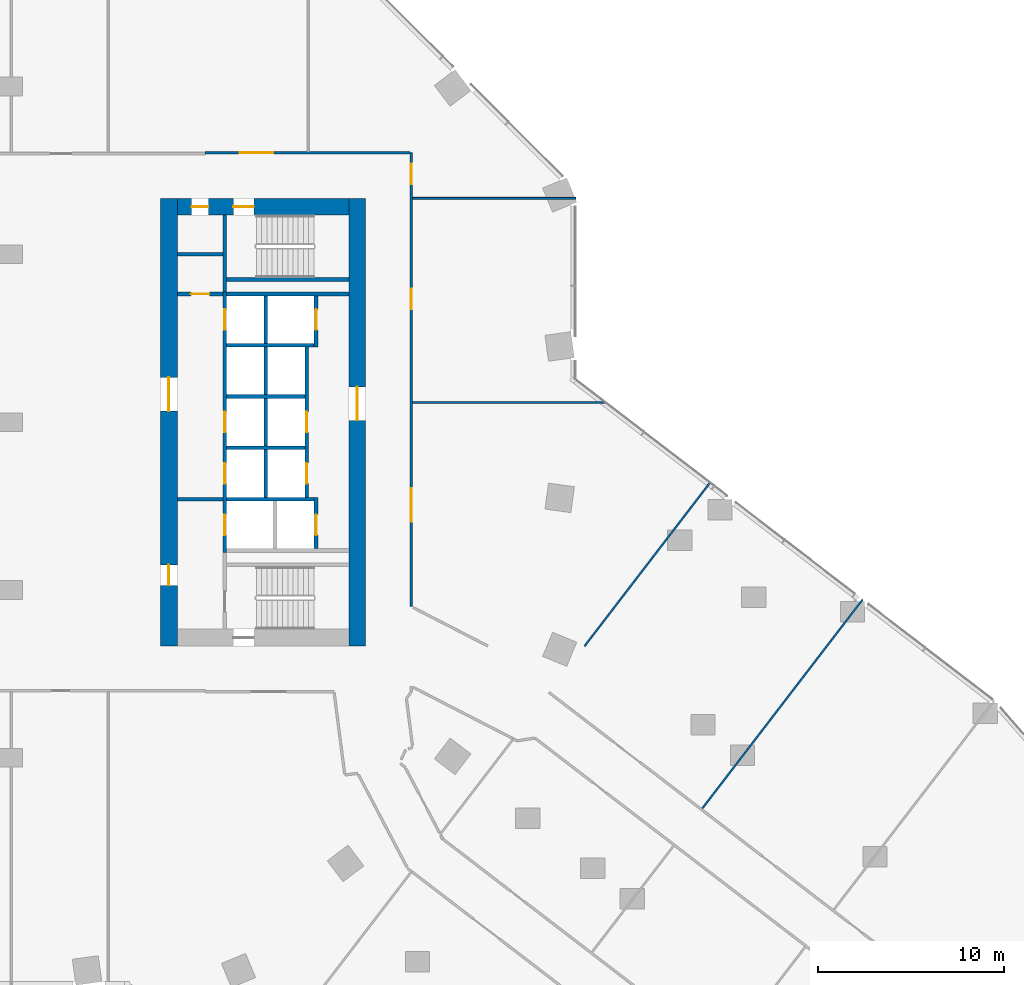
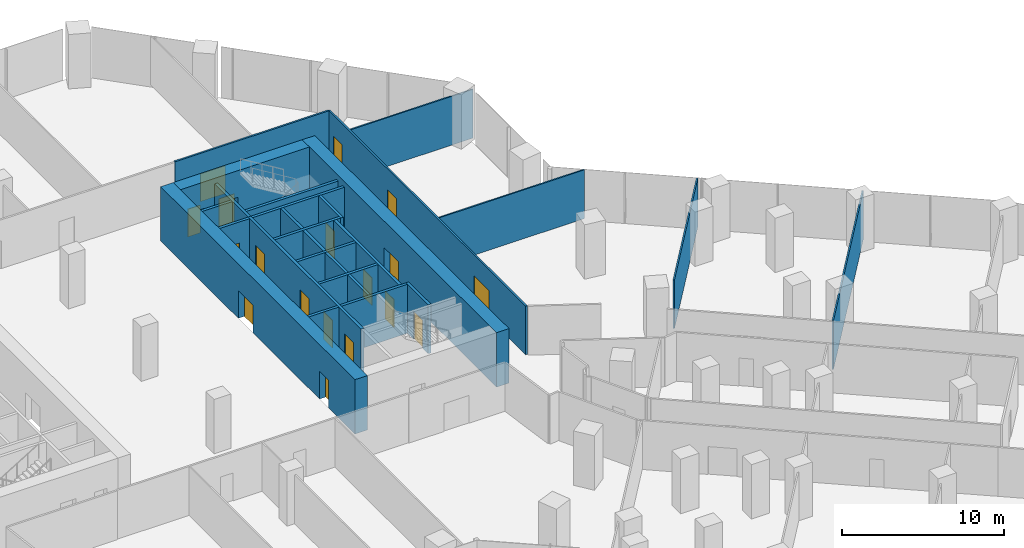
# One storey, part 26 of 29: 27 walls, 18 doors, 18 openings.
"""IFC4 building model written with IfcOpenShell, lengths in metres."""

from ifc_helpers import new_model, si_unit, direction, frame, frame_2d, origin, place, context, subcontext, project, spatial, rectangle, extrude, material, layer, layer_set, type_object, element, fill, save


model = new_model("IFC4")

# Units and contexts
model_context = context("Model", 3, precision=1e-05, world=origin(), true_north=direction((0.0, 1.0)))
body_context = subcontext(model_context, "Body", "Model", "MODEL_VIEW")
ifc_project = project(units=[si_unit("LENGTHUNIT", "METRE"), si_unit("AREAUNIT", "SQUARE_METRE"), si_unit("VOLUMEUNIT", "CUBIC_METRE"), si_unit("PLANEANGLEUNIT", "RADIAN"), si_unit("MASSUNIT", "GRAM", prefix="KILO")], contexts=[model_context])

# Site, building, storey
site_placement = place(None, origin())
site = spatial("IfcSite", under=ifc_project, at=site_placement, CompositionType="ELEMENT")
building_placement = place(site_placement, origin())
building = spatial("IfcBuilding", under=site, at=building_placement, Name="Orlundy Tower", CompositionType="ELEMENT")
storey_placement = place(building_placement, frame((0.0, 0.0, 25.10009765625)))
storey = spatial("IfcBuildingStorey", under=building, at=storey_placement, Name="L04", CompositionType="ELEMENT", Elevation=25.10009765625)

# Wall, openings, doors
ifc_material_1 = material(Name="Concrete C80/95", Category="concrete")
ifc_layer_1 = layer(ifc_material_1, 0.89990234375)
ifc_layer_set_1 = layer_set([ifc_layer_1], Name="CORE WALL 900 C80/95")
wall_type_1 = type_object("IfcWallType", Name="CORE WALL 900 C80/95", PredefinedType="SHEAR", material=ifc_layer_set_1)
wall_1_placement = place(storey_placement, frame((8.89990234375, 11.550048828125, 0.0), z_axis=(0.0, 0.0, 1.0), x_axis=(1.0, 0.0, 0.0)))
wall_1 = element("IfcWall", 1, at=wall_1_placement, inside=storey, type_object=wall_type_1, Name="Core wall E-N L04", PredefinedType="SHEAR", context=body_context, shape_type="SweptSolid", body=[
    extrude(rectangle(XDim=9.2001953125, YDim=0.89990234375, at=frame_2d((4.60009765625, 0.0))), origin(), (0.0, 0.0, 1.0), 4.099853515625),
])
opening_1_placement = place(wall_1_placement, frame((3.0, 0.0, 0.0)))
opening_1 = element("IfcOpeningElement", 2, at=opening_1_placement, cuts=wall_1, Name="Opening 05062", PredefinedType="OPENING", context=body_context, shape_type="SweptSolid", body=[
    extrude(rectangle(XDim=1.10009765625, YDim=2.10009765625, at=frame_2d((0.550048828125, 1.050048828125))), frame((0.0, 0.4599609375, 0.0), z_axis=(0.0, -1.0, 0.0), x_axis=(1.0, 0.0, 0.0)), (0.0, 0.0, 1.0), 0.919921875),
])
opening_2_placement = place(wall_1_placement, frame((0.77001953125, 0.0, 0.0)))
opening_2 = element("IfcOpeningElement", 3, at=opening_2_placement, cuts=wall_1, Name="Opening 05064", PredefinedType="OPENING", context=body_context, shape_type="SweptSolid", body=[
    extrude(rectangle(XDim=0.89990234375, YDim=2.10009765625, at=frame_2d((0.449951171875, 1.050048828125))), frame((0.0, 0.4599609375, 0.0), z_axis=(0.0, -1.0, 0.0), x_axis=(1.0, 0.0, 0.0)), (0.0, 0.0, 1.0), 0.919921875),
])
ifc_material_2 = material(Name="Timber door set", Category="wood")
door_type_1 = type_object("IfcDoorType", Name="Room Door 900x2100", OperationType="SINGLE_SWING_LEFT", PredefinedType="DOOR", material=ifc_material_2)
door_1_placement = place(opening_2_placement, origin())
door_1 = element("IfcDoor", 4, at=door_1_placement, inside=storey, type_object=door_type_1, Name="Store door 05064", OperationType="SINGLE_SWING_LEFT", OverallHeight=2.10009765625, OverallWidth=0.89990234375, PredefinedType="DOOR", context=body_context, shape_type="SweptSolid", body=[
    extrude(rectangle(XDim=0.89990234375, YDim=2.10009765625, at=frame_2d((0.449951171875, 1.050048828125))), frame((0.0, 0.02490234375, 0.0), z_axis=(0.0, -1.0, 0.0), x_axis=(1.0, 0.0, 0.0)), (0.0, 0.0, 1.0), 0.050048828125),
])
fill(opening_2, door_1)
ifc_material_3 = material(Name="Steel door set", Category="steel")
door_type_2 = type_object("IfcDoorType", Name="Stair Door 1100x2100", OperationType="SINGLE_SWING_LEFT", PredefinedType="DOOR", material=ifc_material_3)
door_2_placement = place(opening_1_placement, origin())
door_2 = element("IfcDoor", 5, at=door_2_placement, inside=storey, type_object=door_type_2, Name="Stair door 05062", OperationType="SINGLE_SWING_LEFT", OverallHeight=2.10009765625, OverallWidth=1.10009765625, PredefinedType="DOOR", context=body_context, shape_type="SweptSolid", body=[
    extrude(rectangle(XDim=1.10009765625, YDim=2.10009765625, at=frame_2d((0.550048828125, 1.050048828125))), frame((0.0, 0.02490234375, 0.0), z_axis=(0.0, -1.0, 0.0), x_axis=(1.0, 0.0, 0.0)), (0.0, 0.0, 1.0), 0.050048828125),
])
fill(opening_1, door_2)

wall_2_placement = place(storey_placement, frame((8.449951171875, -12.0, 0.0), z_axis=(0.0, 0.0, 1.0), x_axis=(0.0, 1.0, 0.0)))
wall_2 = element("IfcWall", 6, at=wall_2_placement, inside=storey, type_object=wall_type_1, Name="Core wall E-W L04", PredefinedType="SHEAR", context=body_context, shape_type="SweptSolid", body=[
    extrude(rectangle(XDim=24.0, YDim=0.89990234375, at=frame_2d((12.0, 0.0))), origin(), (0.0, 0.0, 1.0), 4.099853515625),
])
opening_3_placement = place(wall_2_placement, frame((12.60009765625, 0.0, 0.0)))
opening_3 = element("IfcOpeningElement", 7, at=opening_3_placement, cuts=wall_2, Name="Opening 05058", PredefinedType="OPENING", context=body_context, shape_type="SweptSolid", body=[
    extrude(rectangle(XDim=1.800048828125, YDim=2.10009765625, at=frame_2d((0.89990234375, 1.050048828125))), frame((0.0, 0.4599609375, 0.0), z_axis=(0.0, -1.0, 0.0), x_axis=(1.0, 0.0, 0.0)), (0.0, 0.0, 1.0), 0.919921875),
])
opening_4_placement = place(wall_2_placement, frame((3.25, 0.0, 0.0)))
opening_4 = element("IfcOpeningElement", 8, at=opening_4_placement, cuts=wall_2, Name="Opening 05060", PredefinedType="OPENING", context=body_context, shape_type="SweptSolid", body=[
    extrude(rectangle(XDim=1.10009765625, YDim=2.10009765625, at=frame_2d((0.550048828125, 1.050048828125))), frame((0.0, 0.4599609375, 0.0), z_axis=(0.0, -1.0, 0.0), x_axis=(1.0, 0.0, 0.0)), (0.0, 0.0, 1.0), 0.919921875),
])
ifc_material_4 = material(Name="Steel door set", Category="steel")
door_type_3 = type_object("IfcDoorType", Name="Fire-fighting Lobby Door 1100x2100", OperationType="SINGLE_SWING_LEFT", PredefinedType="DOOR", material=ifc_material_4)
door_3_placement = place(opening_4_placement, origin())
door_3 = element("IfcDoor", 9, at=door_3_placement, inside=storey, type_object=door_type_3, Name="Fire-fighting lobby door 05060", OperationType="SINGLE_SWING_LEFT", OverallHeight=2.10009765625, OverallWidth=1.10009765625, PredefinedType="DOOR", context=body_context, shape_type="SweptSolid", body=[
    extrude(rectangle(XDim=1.10009765625, YDim=2.10009765625, at=frame_2d((0.550048828125, 1.050048828125))), frame((0.0, 0.02490234375, 0.0), z_axis=(0.0, -1.0, 0.0), x_axis=(1.0, 0.0, 0.0)), (0.0, 0.0, 1.0), 0.050048828125),
])
fill(opening_4, door_3)
ifc_material_5 = material(Name="Timber door set", Category="wood")
door_type_4 = type_object("IfcDoorType", Name="Lobby Door 1800x2100", OperationType="DOUBLE_DOOR_DOUBLE_SWING", PredefinedType="DOOR", material=ifc_material_5)
door_4_placement = place(opening_3_placement, origin())
door_4 = element("IfcDoor", 10, at=door_4_placement, inside=storey, type_object=door_type_4, Name="Lift lobby door 05058", OperationType="SINGLE_SWING_RIGHT", OverallHeight=2.10009765625, OverallWidth=1.800048828125, PredefinedType="DOOR", context=body_context, shape_type="SweptSolid", body=[
    extrude(rectangle(XDim=1.800048828125, YDim=2.10009765625, at=frame_2d((0.89990234375, 1.050048828125))), frame((0.0, 0.02490234375, 0.0), z_axis=(0.0, -1.0, 0.0), x_axis=(1.0, 0.0, 0.0)), (0.0, 0.0, 1.0), 0.050048828125),
])
fill(opening_3, door_4)

# Wall, opening, door
wall_3_placement = place(storey_placement, frame((18.550048828125, -12.0, 0.0), z_axis=(0.0, 0.0, 1.0), x_axis=(0.0, 1.0, 0.0)))
wall_3 = element("IfcWall", 11, at=wall_3_placement, inside=storey, type_object=wall_type_1, Name="Core wall E-E L04", PredefinedType="SHEAR", context=body_context, shape_type="SweptSolid", body=[
    extrude(rectangle(XDim=24.0, YDim=0.89990234375, at=frame_2d((12.0, 0.0))), origin(), (0.0, 0.0, 1.0), 4.099853515625),
])
opening_5_placement = place(wall_3_placement, frame((12.10009765625, 0.0, 0.0)))
opening_5 = element("IfcOpeningElement", 12, at=opening_5_placement, cuts=wall_3, Name="Opening 05059", PredefinedType="OPENING", context=body_context, shape_type="SweptSolid", body=[
    extrude(rectangle(XDim=1.800048828125, YDim=2.10009765625, at=frame_2d((0.89990234375, 1.050048828125))), frame((0.0, 0.4599609375, 0.0), z_axis=(0.0, -1.0, 0.0), x_axis=(1.0, 0.0, 0.0)), (0.0, 0.0, 1.0), 0.919921875),
])
door_5_placement = place(opening_5_placement, origin())
door_5 = element("IfcDoor", 13, at=door_5_placement, inside=storey, type_object=door_type_4, Name="Lift lobby door 05059", OperationType="SINGLE_SWING_RIGHT", OverallHeight=2.10009765625, OverallWidth=1.800048828125, PredefinedType="DOOR", context=body_context, shape_type="SweptSolid", body=[
    extrude(rectangle(XDim=1.800048828125, YDim=2.10009765625, at=frame_2d((0.89990234375, 1.050048828125))), frame((0.0, 0.02490234375, 0.0), z_axis=(0.0, -1.0, 0.0), x_axis=(1.0, 0.0, 0.0)), (0.0, 0.0, 1.0), 0.050048828125),
])
fill(opening_5, door_5)

# Walls
ifc_material_6 = material(Name="Gypsum board partition")
ifc_layer_2 = layer(ifc_material_6, 0.10009765625)
ifc_layer_set_2 = layer_set([ifc_layer_2], Name="Floor partition 100")
wall_type_2 = type_object("IfcWallType", Name="Floor partition 100", PredefinedType="PARTITIONING", material=ifc_layer_set_2)
wall_4_placement = place(storey_placement, frame((21.511962890625, 1.052978515625, 0.0), z_axis=(0.0, 0.0, 1.0), x_axis=(1.0, 0.0, 0.0)))
element("IfcWall", 14, at=wall_4_placement, inside=storey, type_object=wall_type_2, Name="wall-int-L04-043", PredefinedType="PARTITIONING", context=body_context, shape_type="SweptSolid", body=[
    extrude(rectangle(XDim=10.380126953125, YDim=0.10009765625, at=frame_2d((5.18994140625, 0.0))), origin(), (0.0, 0.0, 1.0), 3.679931640625),
])
wall_5_placement = place(storey_placement, frame((21.511962890625, 12.0, 0.0), z_axis=(0.0, 0.0, 1.0), x_axis=(1.0, 0.0, 0.0)))
element("IfcWall", 15, at=wall_5_placement, inside=storey, type_object=wall_type_2, Name="wall-int-L04-046", PredefinedType="PARTITIONING", context=body_context, shape_type="SweptSolid", body=[
    extrude(rectangle(XDim=8.738037109375, YDim=0.10009765625, at=frame_2d((4.369140625, 0.0))), origin(), (0.0, 0.0, 1.0), 3.679931640625),
])
wall_6_placement = place(storey_placement, frame((37.0419921875, -20.718017578125, 0.0), z_axis=(0.0, 0.0, 1.0), x_axis=(0.608775561638, 0.793342495743, 0.0)))
element("IfcWall", 16, at=wall_6_placement, inside=storey, type_object=wall_type_2, Name="wall-int-L04-078", PredefinedType="PARTITIONING", context=body_context, shape_type="SweptSolid", body=[
    extrude(rectangle(XDim=14.136474609375, YDim=0.10009765625, at=frame_2d((7.068359375, 0.0))), origin(), (0.0, 0.0, 1.0), 3.679931640625),
])
wall_7_placement = place(storey_placement, frame((30.72900390625, -12.014892578125, 0.0), z_axis=(0.0, 0.0, 1.0), x_axis=(0.608833626101, 0.793297936294, 0.0)))
element("IfcWall", 17, at=wall_7_placement, inside=storey, type_object=wall_type_2, Name="wall-int-L04-081", PredefinedType="PARTITIONING", context=body_context, shape_type="SweptSolid", body=[
    extrude(rectangle(XDim=11.0751953125, YDim=0.10009765625, at=frame_2d((5.53759765625, 0.0))), origin(), (0.0, 0.0, 1.0), 3.679931640625),
])

# Wall, opening, door
ifc_material_7 = material(Name="Gypsum board partition, double layer")
ifc_layer_3 = layer(ifc_material_7, 0.125)
ifc_layer_set_3 = layer_set([ifc_layer_3], Name="Floor partition 125")
wall_type_3 = type_object("IfcWallType", Name="Floor partition 125", PredefinedType="PARTITIONING", material=ifc_layer_set_3)
wall_8_placement = place(storey_placement, frame((10.39111328125, 14.450927734375, 0.0), z_axis=(0.0, 0.0, 1.0), x_axis=(1.0, 0.0, 0.0)))
wall_8 = element("IfcWall", 18, at=wall_8_placement, inside=storey, type_object=wall_type_3, Name="wall-int-L04-049", PredefinedType="PARTITIONING", context=body_context, shape_type="SweptSolid", body=[
    extrude(rectangle(XDim=10.995849609375, YDim=0.125, at=frame_2d((5.498046875, 0.0))), origin(), (0.0, 0.0, 1.0), 3.679931640625),
])
opening_6_placement = place(wall_8_placement, frame((1.85009765625, 0.0, 0.0)))
opening_6 = element("IfcOpeningElement", 19, at=opening_6_placement, cuts=wall_8, Name="Opening 05132", PredefinedType="OPENING", context=body_context, shape_type="SweptSolid", body=[
    extrude(rectangle(XDim=1.800048828125, YDim=2.10009765625, at=frame_2d((0.89990234375, 1.050048828125))), frame((0.0, 0.072509765625, 0.0), z_axis=(0.0, -1.0, 0.0), x_axis=(1.0, 0.0, 0.0)), (0.0, 0.0, 1.0), 0.14501953125),
])
ifc_material_8 = material(Name="Timber door leaf", Category="wood")
door_type_5 = type_object("IfcDoorType", Name="Floor door double 1800 FD30S", OperationType="NOTDEFINED", PredefinedType="DOOR", material=ifc_material_8)
door_6_placement = place(opening_6_placement, origin())
door_6 = element("IfcDoor", 20, at=door_6_placement, inside=storey, type_object=door_type_5, Name="Door 05132", OperationType="DOUBLE_DOOR_SINGLE_SWING", OverallHeight=2.10009765625, OverallWidth=1.800048828125, PredefinedType="DOOR", context=body_context, shape_type="SweptSolid", body=[
    extrude(rectangle(XDim=1.800048828125, YDim=2.10009765625, at=frame_2d((0.89990234375, 1.050048828125))), frame((0.0, 0.02490234375, 0.0), z_axis=(0.0, -1.0, 0.0), x_axis=(1.0, 0.0, 0.0)), (0.0, 0.0, 1.0), 0.050048828125),
])
fill(opening_6, door_6)

# Wall, openings, doors
wall_9_placement = place(storey_placement, frame((21.449951171875, 14.450927734375, 0.0), z_axis=(0.0, 0.0, 1.0), x_axis=(0.0, -1.0, 0.0)))
wall_9 = element("IfcWall", 21, at=wall_9_placement, inside=storey, type_object=wall_type_3, Name="wall-int-L04-087", PredefinedType="PARTITIONING", context=body_context, shape_type="SweptSolid", body=[
    extrude(rectangle(XDim=24.343994140625, YDim=0.125, at=frame_2d((12.171875, 0.0))), origin(), (0.0, 0.0, 1.0), 3.679931640625),
])
opening_7_placement = place(wall_9_placement, frame((17.998046875, 0.0, 0.0)))
opening_7 = element("IfcOpeningElement", 22, at=opening_7_placement, cuts=wall_9, Name="Opening 05129", PredefinedType="OPENING", context=body_context, shape_type="SweptSolid", body=[
    extrude(rectangle(XDim=1.800048828125, YDim=2.10009765625, at=frame_2d((0.89990234375, 1.050048828125))), frame((0.0, 0.072509765625, 0.0), z_axis=(0.0, -1.0, 0.0), x_axis=(1.0, 0.0, 0.0)), (0.0, 0.0, 1.0), 0.14501953125),
])
opening_8_placement = place(wall_9_placement, frame((7.301025390625, 0.0, 0.0)))
opening_8 = element("IfcOpeningElement", 23, at=opening_8_placement, cuts=wall_9, Name="Opening 05130", PredefinedType="OPENING", context=body_context, shape_type="SweptSolid", body=[
    extrude(rectangle(XDim=1.10009765625, YDim=2.10009765625, at=frame_2d((0.550048828125, 1.050048828125))), frame((0.0, 0.072509765625, 0.0), z_axis=(0.0, -1.0, 0.0), x_axis=(1.0, 0.0, 0.0)), (0.0, 0.0, 1.0), 0.14501953125),
])
opening_9_placement = place(wall_9_placement, frame((0.60009765625, 0.0, 0.0)))
opening_9 = element("IfcOpeningElement", 24, at=opening_9_placement, cuts=wall_9, Name="Opening 05131", PredefinedType="OPENING", context=body_context, shape_type="SweptSolid", body=[
    extrude(rectangle(XDim=1.10009765625, YDim=2.10009765625, at=frame_2d((0.550048828125, 1.050048828125))), frame((0.0, 0.072509765625, 0.0), z_axis=(0.0, -1.0, 0.0), x_axis=(1.0, 0.0, 0.0)), (0.0, 0.0, 1.0), 0.14501953125),
])
door_7_placement = place(opening_7_placement, origin())
door_7 = element("IfcDoor", 25, at=door_7_placement, inside=storey, type_object=door_type_5, Name="Door 05129", OperationType="DOUBLE_DOOR_SINGLE_SWING", OverallHeight=2.10009765625, OverallWidth=1.800048828125, PredefinedType="DOOR", context=body_context, shape_type="SweptSolid", body=[
    extrude(rectangle(XDim=1.800048828125, YDim=2.10009765625, at=frame_2d((0.89990234375, 1.050048828125))), frame((0.0, 0.02490234375, 0.0), z_axis=(0.0, -1.0, 0.0), x_axis=(1.0, 0.0, 0.0)), (0.0, 0.0, 1.0), 0.050048828125),
])
fill(opening_7, door_7)
ifc_material_9 = material(Name="Timber door leaf", Category="wood")
door_type_6 = type_object("IfcDoorType", Name="Floor door xwide 1100 FD30S", OperationType="NOTDEFINED", PredefinedType="DOOR", material=ifc_material_9)
door_8_placement = place(opening_8_placement, origin())
door_8 = element("IfcDoor", 26, at=door_8_placement, inside=storey, type_object=door_type_6, Name="Door 05130", OperationType="SINGLE_SWING_LEFT", OverallHeight=2.10009765625, OverallWidth=1.10009765625, PredefinedType="DOOR", context=body_context, shape_type="SweptSolid", body=[
    extrude(rectangle(XDim=1.10009765625, YDim=2.10009765625, at=frame_2d((0.550048828125, 1.050048828125))), frame((0.0, 0.02490234375, 0.0), z_axis=(0.0, -1.0, 0.0), x_axis=(1.0, 0.0, 0.0)), (0.0, 0.0, 1.0), 0.050048828125),
])
fill(opening_8, door_8)
door_9_placement = place(opening_9_placement, origin())
door_9 = element("IfcDoor", 27, at=door_9_placement, inside=storey, type_object=door_type_6, Name="Door 05131", OperationType="SINGLE_SWING_LEFT", OverallHeight=2.10009765625, OverallWidth=1.10009765625, PredefinedType="DOOR", context=body_context, shape_type="SweptSolid", body=[
    extrude(rectangle(XDim=1.10009765625, YDim=2.10009765625, at=frame_2d((0.550048828125, 1.050048828125))), frame((0.0, 0.02490234375, 0.0), z_axis=(0.0, -1.0, 0.0), x_axis=(1.0, 0.0, 0.0)), (0.0, 0.0, 1.0), 0.050048828125),
])
fill(opening_9, door_9)

# Walls
ifc_material_10 = material(Name="Concrete C40/50", Category="concrete")
ifc_layer_4 = layer(ifc_material_10, 0.199951171875)
ifc_layer_set_4 = layer_set([ifc_layer_4], Name="Load-bearing Shaft Wall 200")
wall_type_4 = type_object("IfcWallType", Name="Load-bearing Shaft Wall 200", PredefinedType="SOLIDWALL", material=ifc_layer_set_4)
wall_10_placement = place(storey_placement, frame((11.43994140625, 11.10009765625, 0.0), z_axis=(0.0, 0.0, 1.0), x_axis=(0.0, -1.0, 0.0)))
element("IfcWall", 28, at=wall_10_placement, inside=storey, type_object=wall_type_4, Name="Shaft wall E05-stair-end-s", PredefinedType="SOLIDWALL", context=body_context, shape_type="SweptSolid", body=[
    extrude(rectangle(XDim=4.125, YDim=0.199951171875, at=frame_2d((2.0625, 0.0))), origin(), (0.0, 0.0, 1.0), 3.68994140625),
])
wall_11_placement = place(storey_placement, frame((11.5400390625, 7.64990234375, 0.0), z_axis=(0.0, 0.0, 1.0), x_axis=(1.0, 0.0, 0.0)))
element("IfcWall", 29, at=wall_11_placement, inside=storey, type_object=wall_type_4, Name="Shaft wall E05-stair-side-s", PredefinedType="SOLIDWALL", context=body_context, shape_type="SweptSolid", body=[
    extrude(rectangle(XDim=6.56005859375, YDim=0.199951171875, at=frame_2d((3.280029296875, 0.0))), origin(), (0.0, 0.0, 1.0), 3.68994140625),
])
ifc_material_11 = material(Name="Gypsum board partition on steel studs", Category="steel")
ifc_layer_5 = layer(ifc_material_11, 0.199951171875)
ifc_layer_set_5 = layer_set([ifc_layer_5], Name="Partition 200")
wall_type_5 = type_object("IfcWallType", Name="Partition 200", PredefinedType="PARTITIONING", material=ifc_layer_set_5)
wall_12_placement = place(storey_placement, frame((8.89990234375, -4.125, 0.0), z_axis=(0.0, 0.0, 1.0), x_axis=(1.0, 0.0, 0.0)))
element("IfcWall", 30, at=wall_12_placement, inside=storey, type_object=wall_type_5, Name="Partition wall E05-lobby-n", PredefinedType="PARTITIONING", context=body_context, shape_type="SweptSolid", body=[
    extrude(rectangle(XDim=2.440185546875, YDim=0.199951171875, at=frame_2d((1.22021484375, 0.0))), origin(), (0.0, 0.0, 1.0), 3.68994140625),
])

# Wall, opening, door
wall_13_placement = place(storey_placement, frame((8.89990234375, 6.875, 0.0), z_axis=(0.0, 0.0, 1.0), x_axis=(1.0, 0.0, 0.0)))
wall_13 = element("IfcWall", 31, at=wall_13_placement, inside=storey, type_object=wall_type_5, Name="Partition wall E05-end-s", PredefinedType="PARTITIONING", context=body_context, shape_type="SweptSolid", body=[
    extrude(rectangle(XDim=2.440185546875, YDim=0.199951171875, at=frame_2d((1.22021484375, 0.0))), origin(), (0.0, 0.0, 1.0), 3.68994140625),
])
opening_10_placement = place(wall_13_placement, frame((0.719970703125, 0.0, 0.0)))
opening_10 = element("IfcOpeningElement", 32, at=opening_10_placement, cuts=wall_13, Name="Opening 05065", PredefinedType="OPENING", context=body_context, shape_type="SweptSolid", body=[
    extrude(rectangle(XDim=1.0, YDim=2.10009765625, at=frame_2d((0.5, 1.050048828125))), frame((0.0, 0.110107421875, 0.0), z_axis=(0.0, -1.0, 0.0), x_axis=(1.0, 0.0, 0.0)), (0.0, 0.0, 1.0), 0.22021484375),
])
ifc_material_12 = material(Name="Timber door set", Category="wood")
door_type_7 = type_object("IfcDoorType", Name="Accessible Door 1000x2100", OperationType="SINGLE_SWING_LEFT", PredefinedType="DOOR", material=ifc_material_12)
door_10_placement = place(opening_10_placement, origin())
door_10 = element("IfcDoor", 33, at=door_10_placement, inside=storey, type_object=door_type_7, Name="Accessible WC door 05065", OperationType="SINGLE_SWING_RIGHT", OverallHeight=2.10009765625, OverallWidth=1.0, PredefinedType="DOOR", context=body_context, shape_type="SweptSolid", body=[
    extrude(rectangle(XDim=1.0, YDim=2.10009765625, at=frame_2d((0.5, 1.050048828125))), frame((0.0, 0.02490234375, 0.0), z_axis=(0.0, -1.0, 0.0), x_axis=(1.0, 0.0, 0.0)), (0.0, 0.0, 1.0), 0.050048828125),
])
fill(opening_10, door_10)

# Walls
wall_14_placement = place(storey_placement, frame((8.89990234375, 9.0, 0.0), z_axis=(0.0, 0.0, 1.0), x_axis=(1.0, 0.0, 0.0)))
element("IfcWall", 34, at=wall_14_placement, inside=storey, type_object=wall_type_5, Name="Partition wall E05-room-s0", PredefinedType="PARTITIONING", context=body_context, shape_type="SweptSolid", body=[
    extrude(rectangle(XDim=2.440185546875, YDim=0.199951171875, at=frame_2d((1.22021484375, 0.0))), origin(), (0.0, 0.0, 1.0), 3.68994140625),
])
ifc_material_13 = material(Name="Fire-rated blockwork shaft wall", Category="masonry")
ifc_layer_6 = layer(ifc_material_13, 0.199951171875)
ifc_layer_set_6 = layer_set([ifc_layer_6], Name="Shaft Wall 200")
wall_type_6 = type_object("IfcWallType", Name="Shaft Wall 200", PredefinedType="SOLIDWALL", material=ifc_layer_set_6)
wall_15_placement = place(storey_placement, frame((11.5400390625, 6.875, 0.0), z_axis=(0.0, 0.0, 1.0), x_axis=(1.0, 0.0, 0.0)))
element("IfcWall", 35, at=wall_15_placement, inside=storey, type_object=wall_type_6, Name="Shaft wall E05-zone-s", PredefinedType="SOLIDWALL", context=body_context, shape_type="SweptSolid", body=[
    extrude(rectangle(XDim=6.56005859375, YDim=0.199951171875, at=frame_2d((3.280029296875, 0.0))), origin(), (0.0, 0.0, 1.0), 3.68994140625),
])
wall_16_placement = place(storey_placement, frame((11.5400390625, 4.125, 0.0), z_axis=(0.0, 0.0, 1.0), x_axis=(1.0, 0.0, 0.0)))
element("IfcWall", 36, at=wall_16_placement, inside=storey, type_object=wall_type_6, Name="Shaft wall E05-cross-4.125", PredefinedType="SOLIDWALL", context=body_context, shape_type="SweptSolid", body=[
    extrude(rectangle(XDim=4.699951171875, YDim=0.199951171875, at=frame_2d((2.35009765625, 0.0))), origin(), (0.0, 0.0, 1.0), 3.68994140625),
])
for number, where, z_axis, x_axis, name in (
    (37, (11.5400390625, 1.375, 0.0), (0.0, 0.0, 1.0), (1.0, 0.0, 0.0), "Shaft wall E05-cross-1.375"),
    (38, (11.5400390625, -1.375, 0.0), (0.0, 0.0, 1.0), (1.0, 0.0, 0.0), "Shaft wall E05-cross+1.375"),
):
    element("IfcWall", number, at=place(storey_placement, frame(where, z_axis=z_axis, x_axis=x_axis)), inside=storey, type_object=wall_type_6, Name=name, PredefinedType="SOLIDWALL", context=body_context, shape_type="SweptSolid", body=[
        extrude(rectangle(XDim=4.199951171875, YDim=0.199951171875, at=frame_2d((2.10009765625, 0.0))), origin(), (0.0, 0.0, 1.0), 3.68994140625),
    ])
wall_17_placement = place(storey_placement, frame((11.5400390625, -4.125, 0.0), z_axis=(0.0, 0.0, 1.0), x_axis=(1.0, 0.0, 0.0)))
element("IfcWall", 39, at=wall_17_placement, inside=storey, type_object=wall_type_6, Name="Shaft wall E05-cross+4.125", PredefinedType="SOLIDWALL", context=body_context, shape_type="SweptSolid", body=[
    extrude(rectangle(XDim=4.699951171875, YDim=0.199951171875, at=frame_2d((2.35009765625, 0.0))), origin(), (0.0, 0.0, 1.0), 3.68994140625),
])

# Wall, openings, doors
wall_18_placement = place(storey_placement, frame((11.43994140625, 6.97509765625, 0.0), z_axis=(0.0, 0.0, 1.0), x_axis=(0.0, -1.0, 0.0)))
wall_18 = element("IfcWall", 40, at=wall_18_placement, inside=storey, type_object=wall_type_6, Name="Shaft wall E05-front-h", PredefinedType="SOLIDWALL", context=body_context, shape_type="SweptSolid", body=[
    extrude(rectangle(XDim=13.9501953125, YDim=0.199951171875, at=frame_2d((6.97509765625, 0.0))), origin(), (0.0, 0.0, 1.0), 3.68994140625),
])
opening_11_placement = place(wall_18_placement, frame((0.925048828125, 0.0, 0.0)))
opening_11 = element("IfcOpeningElement", 41, at=opening_11_placement, cuts=wall_18, Name="Opening 05050", PredefinedType="OPENING", context=body_context, shape_type="SweptSolid", body=[
    extrude(rectangle(XDim=1.10009765625, YDim=2.10009765625, at=frame_2d((0.550048828125, 1.050048828125))), frame((0.0, 0.110107421875, 0.0), z_axis=(0.0, -1.0, 0.0), x_axis=(1.0, 0.0, 0.0)), (0.0, 0.0, 1.0), 0.22021484375),
])
opening_12_placement = place(wall_18_placement, frame((6.425048828125, 0.0, 0.0)))
opening_12 = element("IfcOpeningElement", 42, at=opening_12_placement, cuts=wall_18, Name="Opening 05052", PredefinedType="OPENING", context=body_context, shape_type="SweptSolid", body=[
    extrude(rectangle(XDim=1.10009765625, YDim=2.10009765625, at=frame_2d((0.550048828125, 1.050048828125))), frame((0.0, 0.110107421875, 0.0), z_axis=(0.0, -1.0, 0.0), x_axis=(1.0, 0.0, 0.0)), (0.0, 0.0, 1.0), 0.22021484375),
])
opening_13_placement = place(wall_18_placement, frame((9.175048828125, 0.0, 0.0)))
opening_13 = element("IfcOpeningElement", 43, at=opening_13_placement, cuts=wall_18, Name="Opening 05054", PredefinedType="OPENING", context=body_context, shape_type="SweptSolid", body=[
    extrude(rectangle(XDim=1.10009765625, YDim=2.10009765625, at=frame_2d((0.550048828125, 1.050048828125))), frame((0.0, 0.110107421875, 0.0), z_axis=(0.0, -1.0, 0.0), x_axis=(1.0, 0.0, 0.0)), (0.0, 0.0, 1.0), 0.22021484375),
])
opening_14_placement = place(wall_18_placement, frame((11.925048828125, 0.0, 0.0)))
opening_14 = element("IfcOpeningElement", 44, at=opening_14_placement, cuts=wall_18, Name="Opening 05056", PredefinedType="OPENING", context=body_context, shape_type="SweptSolid", body=[
    extrude(rectangle(XDim=1.10009765625, YDim=2.10009765625, at=frame_2d((0.550048828125, 1.050048828125))), frame((0.0, 0.110107421875, 0.0), z_axis=(0.0, -1.0, 0.0), x_axis=(1.0, 0.0, 0.0)), (0.0, 0.0, 1.0), 0.22021484375),
])
ifc_material_14 = material(Name="Steel door set", Category="steel")
door_type_8 = type_object("IfcDoorType", Name="Landing Door 1100x2100", OperationType="DOUBLE_DOOR_SLIDING", PredefinedType="DOOR", material=ifc_material_14)
door_11_placement = place(opening_11_placement, origin())
door_11 = element("IfcDoor", 45, at=door_11_placement, inside=storey, type_object=door_type_8, Name="Lift landing door LPD-02 05050", OperationType="DOUBLE_DOOR_SLIDING", OverallHeight=2.10009765625, OverallWidth=1.10009765625, PredefinedType="DOOR", context=body_context, shape_type="SweptSolid", body=[
    extrude(rectangle(XDim=1.10009765625, YDim=2.10009765625, at=frame_2d((0.550048828125, 1.050048828125))), frame((0.0, 0.02490234375, 0.0), z_axis=(0.0, -1.0, 0.0), x_axis=(1.0, 0.0, 0.0)), (0.0, 0.0, 1.0), 0.050048828125),
])
fill(opening_11, door_11)
door_12_placement = place(opening_12_placement, origin())
door_12 = element("IfcDoor", 46, at=door_12_placement, inside=storey, type_object=door_type_8, Name="Lift landing door LP-10 05052", OperationType="DOUBLE_DOOR_SLIDING", OverallHeight=2.10009765625, OverallWidth=1.10009765625, PredefinedType="DOOR", context=body_context, shape_type="SweptSolid", body=[
    extrude(rectangle(XDim=1.10009765625, YDim=2.10009765625, at=frame_2d((0.550048828125, 1.050048828125))), frame((0.0, 0.02490234375, 0.0), z_axis=(0.0, -1.0, 0.0), x_axis=(1.0, 0.0, 0.0)), (0.0, 0.0, 1.0), 0.050048828125),
])
fill(opening_12, door_12)
door_13_placement = place(opening_13_placement, origin())
door_13 = element("IfcDoor", 47, at=door_13_placement, inside=storey, type_object=door_type_8, Name="Lift landing door LP-07 05054", OperationType="DOUBLE_DOOR_SLIDING", OverallHeight=2.10009765625, OverallWidth=1.10009765625, PredefinedType="DOOR", context=body_context, shape_type="SweptSolid", body=[
    extrude(rectangle(XDim=1.10009765625, YDim=2.10009765625, at=frame_2d((0.550048828125, 1.050048828125))), frame((0.0, 0.02490234375, 0.0), z_axis=(0.0, -1.0, 0.0), x_axis=(1.0, 0.0, 0.0)), (0.0, 0.0, 1.0), 0.050048828125),
])
fill(opening_13, door_13)
door_14_placement = place(opening_14_placement, origin())
door_14 = element("IfcDoor", 48, at=door_14_placement, inside=storey, type_object=door_type_8, Name="Lift landing door FL2 05056", OperationType="DOUBLE_DOOR_SLIDING", OverallHeight=2.10009765625, OverallWidth=1.10009765625, PredefinedType="DOOR", context=body_context, shape_type="SweptSolid", body=[
    extrude(rectangle(XDim=1.10009765625, YDim=2.10009765625, at=frame_2d((0.550048828125, 1.050048828125))), frame((0.0, 0.02490234375, 0.0), z_axis=(0.0, -1.0, 0.0), x_axis=(1.0, 0.0, 0.0)), (0.0, 0.0, 1.0), 0.050048828125),
])
fill(opening_14, door_14)

# Walls
for number, where, z_axis, x_axis, name in (
    (49, (13.639892578125, 6.77490234375, 0.0), (0.0, 0.0, 1.0), (0.0, -1.0, 0.0), "Shaft wall E05-mid-a"),
    (50, (13.639892578125, 4.02490234375, 0.0), (0.0, 0.0, 1.0), (0.0, -1.0, 0.0), "Shaft wall E05-mid-a.1"),
    (51, (13.639892578125, 1.27490234375, 0.0), (0.0, 0.0, 1.0), (0.0, -1.0, 0.0), "Shaft wall E05-mid-a.2"),
    (52, (13.639892578125, -1.47509765625, 0.0), (0.0, 0.0, 1.0), (0.0, -1.0, 0.0), "Shaft wall E05-mid-a.3"),
):
    element("IfcWall", number, at=place(storey_placement, frame(where, z_axis=z_axis, x_axis=x_axis)), inside=storey, type_object=wall_type_6, Name=name, PredefinedType="SOLIDWALL", context=body_context, shape_type="SweptSolid", body=[
        extrude(rectangle(XDim=2.5498046875, YDim=0.199951171875, at=frame_2d((1.27490234375, 0.0))), origin(), (0.0, 0.0, 1.0), 3.68994140625),
    ])

# Wall, opening, door
wall_19_placement = place(storey_placement, frame((16.340087890625, 6.77490234375, 0.0), z_axis=(0.0, 0.0, 1.0), x_axis=(0.0, -1.0, 0.0)))
wall_19 = element("IfcWall", 53, at=wall_19_placement, inside=storey, type_object=wall_type_6, Name="Shaft wall E05-front-o-a", PredefinedType="SOLIDWALL", context=body_context, shape_type="SweptSolid", body=[
    extrude(rectangle(XDim=2.75, YDim=0.199951171875, at=frame_2d((1.375, 0.0))), origin(), (0.0, 0.0, 1.0), 3.68994140625),
])
opening_15_placement = place(wall_19_placement, frame((0.72509765625, 0.0, 0.0)))
opening_15 = element("IfcOpeningElement", 54, at=opening_15_placement, cuts=wall_19, Name="Opening 05051", PredefinedType="OPENING", context=body_context, shape_type="SweptSolid", body=[
    extrude(rectangle(XDim=1.10009765625, YDim=2.10009765625, at=frame_2d((0.550048828125, 1.050048828125))), frame((0.0, 0.110107421875, 0.0), z_axis=(0.0, -1.0, 0.0), x_axis=(1.0, 0.0, 0.0)), (0.0, 0.0, 1.0), 0.22021484375),
])
door_15_placement = place(opening_15_placement, origin())
door_15 = element("IfcDoor", 55, at=door_15_placement, inside=storey, type_object=door_type_8, Name="Lift landing door LV-02 05051", OperationType="DOUBLE_DOOR_SLIDING", OverallHeight=2.10009765625, OverallWidth=1.10009765625, PredefinedType="DOOR", context=body_context, shape_type="SweptSolid", body=[
    extrude(rectangle(XDim=1.10009765625, YDim=2.10009765625, at=frame_2d((0.550048828125, 1.050048828125))), frame((0.0, 0.02490234375, 0.0), z_axis=(0.0, -1.0, 0.0), x_axis=(1.0, 0.0, 0.0)), (0.0, 0.0, 1.0), 0.050048828125),
])
fill(opening_15, door_15)

# Wall, openings, doors
wall_20_placement = place(storey_placement, frame((15.840087890625, 4.02490234375, 0.0), z_axis=(0.0, 0.0, 1.0), x_axis=(0.0, -1.0, 0.0)))
wall_20 = element("IfcWall", 56, at=wall_20_placement, inside=storey, type_object=wall_type_6, Name="Shaft wall E05-front-o-b", PredefinedType="SOLIDWALL", context=body_context, shape_type="SweptSolid", body=[
    extrude(rectangle(XDim=8.0498046875, YDim=0.199951171875, at=frame_2d((4.02490234375, 0.0))), origin(), (0.0, 0.0, 1.0), 3.68994140625),
])
opening_16_placement = place(wall_20_placement, frame((3.47509765625, 0.0, 0.0)))
opening_16 = element("IfcOpeningElement", 57, at=opening_16_placement, cuts=wall_20, Name="Opening 05053", PredefinedType="OPENING", context=body_context, shape_type="SweptSolid", body=[
    extrude(rectangle(XDim=1.10009765625, YDim=2.10009765625, at=frame_2d((0.550048828125, 1.050048828125))), frame((0.0, 0.110107421875, 0.0), z_axis=(0.0, -1.0, 0.0), x_axis=(1.0, 0.0, 0.0)), (0.0, 0.0, 1.0), 0.22021484375),
])
opening_17_placement = place(wall_20_placement, frame((6.22509765625, 0.0, 0.0)))
opening_17 = element("IfcOpeningElement", 58, at=opening_17_placement, cuts=wall_20, Name="Opening 05055", PredefinedType="OPENING", context=body_context, shape_type="SweptSolid", body=[
    extrude(rectangle(XDim=1.10009765625, YDim=2.10009765625, at=frame_2d((0.550048828125, 1.050048828125))), frame((0.0, 0.110107421875, 0.0), z_axis=(0.0, -1.0, 0.0), x_axis=(1.0, 0.0, 0.0)), (0.0, 0.0, 1.0), 0.22021484375),
])
door_16_placement = place(opening_16_placement, origin())
door_16 = element("IfcDoor", 59, at=door_16_placement, inside=storey, type_object=door_type_8, Name="Lift landing door LP-06 05053", OperationType="DOUBLE_DOOR_SLIDING", OverallHeight=2.10009765625, OverallWidth=1.10009765625, PredefinedType="DOOR", context=body_context, shape_type="SweptSolid", body=[
    extrude(rectangle(XDim=1.10009765625, YDim=2.10009765625, at=frame_2d((0.550048828125, 1.050048828125))), frame((0.0, 0.02490234375, 0.0), z_axis=(0.0, -1.0, 0.0), x_axis=(1.0, 0.0, 0.0)), (0.0, 0.0, 1.0), 0.050048828125),
])
fill(opening_16, door_16)
door_17_placement = place(opening_17_placement, origin())
door_17 = element("IfcDoor", 60, at=door_17_placement, inside=storey, type_object=door_type_8, Name="Lift landing door LP-08 05055", OperationType="DOUBLE_DOOR_SLIDING", OverallHeight=2.10009765625, OverallWidth=1.10009765625, PredefinedType="DOOR", context=body_context, shape_type="SweptSolid", body=[
    extrude(rectangle(XDim=1.10009765625, YDim=2.10009765625, at=frame_2d((0.550048828125, 1.050048828125))), frame((0.0, 0.02490234375, 0.0), z_axis=(0.0, -1.0, 0.0), x_axis=(1.0, 0.0, 0.0)), (0.0, 0.0, 1.0), 0.050048828125),
])
fill(opening_17, door_17)

# Wall, opening, door
wall_21_placement = place(storey_placement, frame((16.340087890625, -4.02490234375, 0.0), z_axis=(0.0, 0.0, 1.0), x_axis=(0.0, -1.0, 0.0)))
wall_21 = element("IfcWall", 61, at=wall_21_placement, inside=storey, type_object=wall_type_6, Name="Shaft wall E05-front-o-c", PredefinedType="SOLIDWALL", context=body_context, shape_type="SweptSolid", body=[
    extrude(rectangle(XDim=2.75, YDim=0.199951171875, at=frame_2d((1.375, 0.0))), origin(), (0.0, 0.0, 1.0), 3.68994140625),
])
opening_18_placement = place(wall_21_placement, frame((0.925048828125, 0.0, 0.0)))
opening_18 = element("IfcOpeningElement", 62, at=opening_18_placement, cuts=wall_21, Name="Opening 05057", PredefinedType="OPENING", context=body_context, shape_type="SweptSolid", body=[
    extrude(rectangle(XDim=1.10009765625, YDim=2.10009765625, at=frame_2d((0.550048828125, 1.050048828125))), frame((0.0, 0.110107421875, 0.0), z_axis=(0.0, -1.0, 0.0), x_axis=(1.0, 0.0, 0.0)), (0.0, 0.0, 1.0), 0.22021484375),
])
door_18_placement = place(opening_18_placement, origin())
door_18 = element("IfcDoor", 63, at=door_18_placement, inside=storey, type_object=door_type_8, Name="Lift landing door LP-09 05057", OperationType="DOUBLE_DOOR_SLIDING", OverallHeight=2.10009765625, OverallWidth=1.10009765625, PredefinedType="DOOR", context=body_context, shape_type="SweptSolid", body=[
    extrude(rectangle(XDim=1.10009765625, YDim=2.10009765625, at=frame_2d((0.550048828125, 1.050048828125))), frame((0.0, 0.02490234375, 0.0), z_axis=(0.0, -1.0, 0.0), x_axis=(1.0, 0.0, 0.0)), (0.0, 0.0, 1.0), 0.050048828125),
])
fill(opening_18, door_18)

save(model, "model.ifc")
